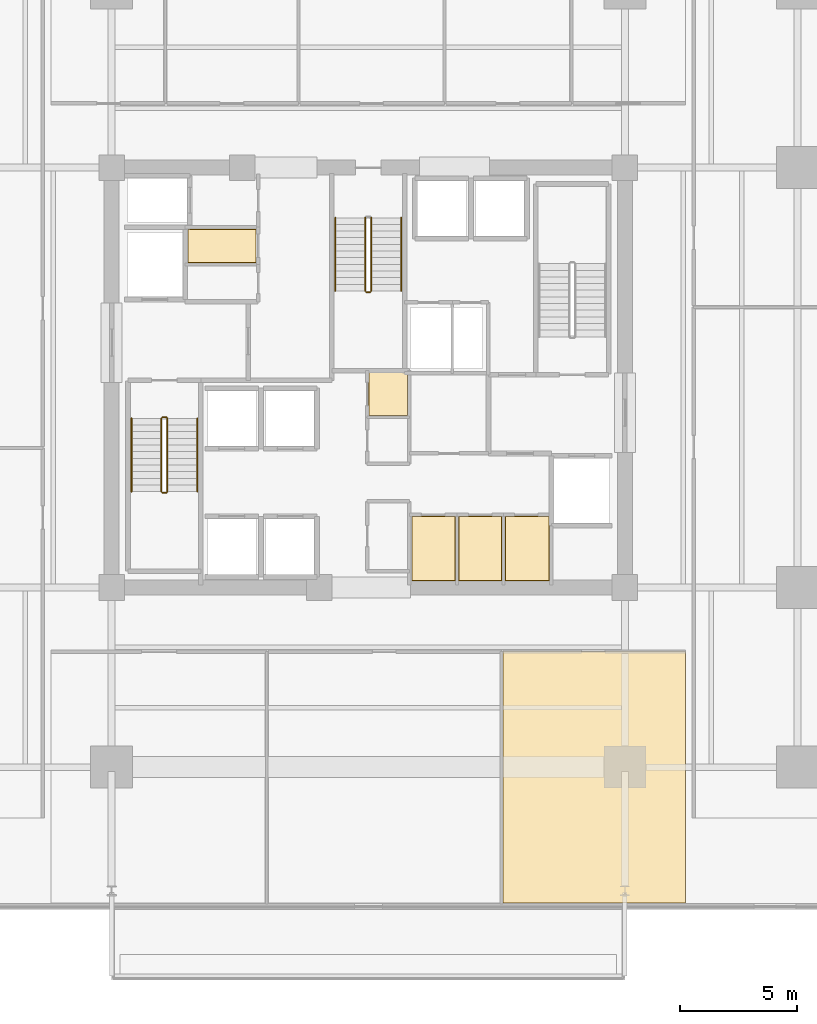
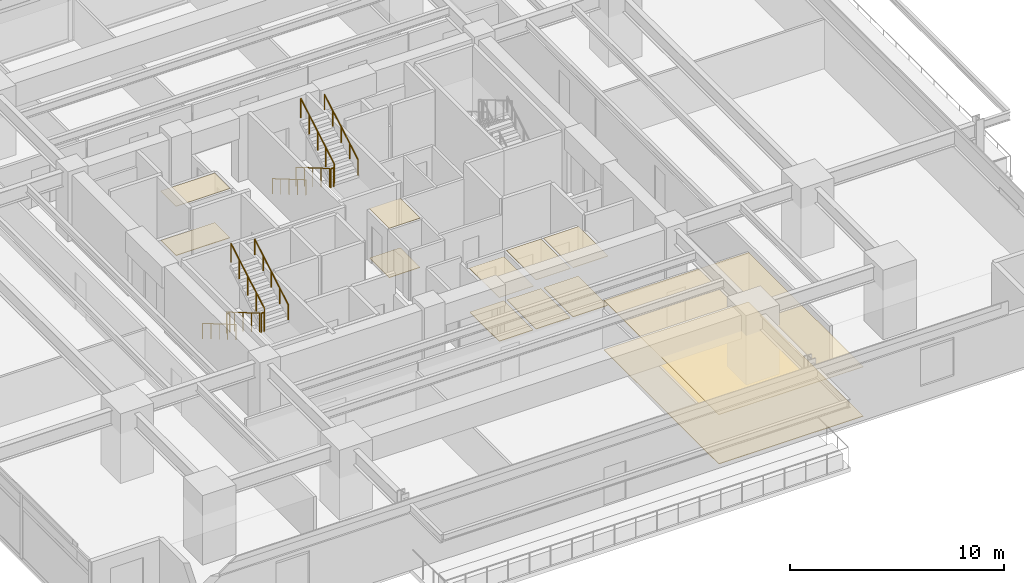
# One storey, part 18 of 21: 12 coverings, 11 railings.
"""IFC4 building model written with IfcOpenShell, lengths in metres."""

from ifc_helpers import new_model, si_unit, direction, frame, origin, origin_2d, place, context, subcontext, project, spatial, polyline, circle, outline, extrude, material, layer, layer_set, type_object, element, save


model = new_model("IFC4")

# Units and contexts
model_context = context("Model", 3, precision=1e-05, world=origin(), true_north=direction((0.0, 1.0)))
body_context = subcontext(model_context, "Body", "Model", "MODEL_VIEW")
ifc_project = project(units=[si_unit("LENGTHUNIT", "METRE"), si_unit("AREAUNIT", "SQUARE_METRE"), si_unit("VOLUMEUNIT", "CUBIC_METRE"), si_unit("PLANEANGLEUNIT", "RADIAN"), si_unit("MASSUNIT", "GRAM", prefix="KILO")], contexts=[model_context])

# Site, building, storey
site_placement = place(None, origin())
site = spatial("IfcSite", under=ifc_project, at=site_placement, CompositionType="ELEMENT")
building_placement = place(site_placement, origin())
building = spatial("IfcBuilding", under=site, at=building_placement, Name="Kovane Verandah Tower", CompositionType="ELEMENT")
storey_placement = place(building_placement, frame((0.0, 0.0, 87.60009765625)))
storey = spatial("IfcBuildingStorey", under=building, at=storey_placement, Name="L20", CompositionType="ELEMENT", Elevation=87.60009765625)

# Coverings
ifc_material_1 = material(Name="Perforated Acoustic Mineral-Fibre Ceiling Tile", Category="gypsum")
ifc_layer_1 = layer(ifc_material_1, 0.02490234375)
ifc_layer_set_1 = layer_set([ifc_layer_1], Name="Perforated Acoustic Mineral-Fibre Ceiling Tile")
covering_type_1 = type_object("IfcCoveringType", Name="CV-CEIL-25", PredefinedType="CEILING", material=ifc_layer_set_1)
covering_1_placement = place(storey_placement, frame((0.0, 0.0, 2.514892578125)))
element("IfcCovering", 1, at=covering_1_placement, inside=storey, type_object=covering_type_1, Name="L20 Mail and Copy Room Acoustic Ceiling", PredefinedType="CEILING", context=body_context, shape_type="SweptSolid", body=[
    extrude(outline(polyline([(41.864990234375, 18.784912109375), (43.735107421875, 18.784912109375), (43.735107421875, 21.56494140625), (41.864990234375, 21.56494140625), (41.864990234375, 18.784912109375)])), origin(), (0.0, 0.0, 1.0), 0.02490234375),
])
covering_2_placement = place(storey_placement, frame((0.0, 0.0, 2.824951171875)))
element("IfcCovering", 2, at=covering_2_placement, inside=storey, type_object=covering_type_1, Name="L20 First Aid Room Acoustic Ceiling", PredefinedType="CEILING", context=body_context, shape_type="SweptSolid", body=[
    extrude(outline(polyline([(43.864990234375, 18.784912109375), (45.735107421875, 18.784912109375), (45.735107421875, 21.56494140625), (43.864990234375, 21.56494140625), (43.864990234375, 18.784912109375)])), origin(), (0.0, 0.0, 1.0), 0.02490234375),
])
covering_3_placement = place(storey_placement, frame((0.0, 0.0, 2.824951171875)))
element("IfcCovering", 3, at=covering_3_placement, inside=storey, type_object=covering_type_1, Name="L20 Quiet Wellness Room Acoustic Ceiling", PredefinedType="CEILING", context=body_context, shape_type="SweptSolid", body=[
    extrude(outline(polyline([(45.864990234375, 18.784912109375), (47.764892578125, 18.784912109375), (47.764892578125, 21.56494140625), (45.864990234375, 21.56494140625), (45.864990234375, 18.784912109375)])), origin(), (0.0, 0.0, 1.0), 0.02490234375),
])
covering_4_placement = place(storey_placement, frame((0.0, 0.0, 2.824951171875)))
element("IfcCovering", 4, at=covering_4_placement, inside=storey, type_object=covering_type_1, Name="L20 North-West First Aid Room Acoustic Ceiling", PredefinedType="CEILING", context=body_context, shape_type="SweptSolid", body=[
    extrude(outline(polyline([(32.264892578125, 32.4150390625), (35.195068359375, 32.4150390625), (35.195068359375, 33.864990234375), (32.264892578125, 33.864990234375), (32.264892578125, 32.4150390625)])), origin(), (0.0, 0.0, 1.0), 0.02490234375),
])
covering_5_placement = place(storey_placement, frame((0.0, 0.0, 2.824951171875)))
element("IfcCovering", 5, at=covering_5_placement, inside=storey, type_object=covering_type_1, Name="L20 Central First Aid and Wellness Room Acoustic Ceiling", PredefinedType="CEILING", context=body_context, shape_type="SweptSolid", body=[
    extrude(outline(polyline([(40.0048828125, 25.864990234375), (41.695068359375, 25.864990234375), (41.695068359375, 27.735107421875), (40.0048828125, 27.735107421875), (40.0048828125, 25.864990234375)])), origin(), (0.0, 0.0, 1.0), 0.02490234375),
])
covering_6_placement = place(storey_placement, frame((0.0, 0.0, 2.824951171875)))
element("IfcCovering", 6, at=covering_6_placement, inside=storey, type_object=covering_type_1, Name="L20 Focus Studio S3 Acoustic Ceiling", PredefinedType="CEILING", context=body_context, shape_type="SweptSolid", body=[
    extrude(outline(polyline([(45.781982421875, 4.97900390625), (53.60009765625, 4.97900390625), (53.60009765625, 15.75), (45.781982421875, 15.75), (45.781982421875, 4.97900390625)])), origin(), (0.0, 0.0, 1.0), 0.02490234375),
])
ifc_material_2 = material(Name="Polished Terrazzo and Raised-Access Carpet Tile Finish", Category="concrete")
ifc_layer_2 = layer(ifc_material_2, 0.030029296875)
ifc_layer_set_2 = layer_set([ifc_layer_2], Name="Polished Terrazzo and Raised-Access Carpet Tile Finish")
covering_type_2 = type_object("IfcCoveringType", Name="CV-FLOR-30", PredefinedType="FLOORING", material=ifc_layer_set_2)
covering_7_placement = place(storey_placement, origin())
element("IfcCovering", 7, at=covering_7_placement, inside=storey, type_object=covering_type_2, Name="L20 Mail and Copy Room Floor Finish", PredefinedType="FLOORING", context=body_context, shape_type="SweptSolid", body=[
    extrude(outline(polyline([(41.8798828125, 18.800048828125), (43.719970703125, 18.800048828125), (43.719970703125, 21.550048828125), (41.8798828125, 21.550048828125), (41.8798828125, 18.800048828125)])), origin(), (0.0, 0.0, 1.0), 0.02978515625),
])
covering_8_placement = place(storey_placement, origin())
element("IfcCovering", 8, at=covering_8_placement, inside=storey, type_object=covering_type_2, Name="L20 First Aid Room Floor Finish", PredefinedType="FLOORING", context=body_context, shape_type="SweptSolid", body=[
    extrude(outline(polyline([(43.8798828125, 18.800048828125), (45.719970703125, 18.800048828125), (45.719970703125, 21.550048828125), (43.8798828125, 21.550048828125), (43.8798828125, 18.800048828125)])), origin(), (0.0, 0.0, 1.0), 0.02978515625),
])
covering_9_placement = place(storey_placement, origin())
element("IfcCovering", 9, at=covering_9_placement, inside=storey, type_object=covering_type_2, Name="L20 Quiet Wellness Room Floor Finish", PredefinedType="FLOORING", context=body_context, shape_type="SweptSolid", body=[
    extrude(outline(polyline([(45.8798828125, 18.800048828125), (47.75, 18.800048828125), (47.75, 21.550048828125), (45.8798828125, 21.550048828125), (45.8798828125, 18.800048828125)])), origin(), (0.0, 0.0, 1.0), 0.02978515625),
])
covering_10_placement = place(storey_placement, origin())
element("IfcCovering", 10, at=covering_10_placement, inside=storey, type_object=covering_type_2, Name="L20 North-West First Aid Room Floor Finish", PredefinedType="FLOORING", context=body_context, shape_type="SweptSolid", body=[
    extrude(outline(polyline([(32.280029296875, 32.429931640625), (35.179931640625, 32.429931640625), (35.179931640625, 33.85009765625), (32.280029296875, 33.85009765625), (32.280029296875, 32.429931640625)])), origin(), (0.0, 0.0, 1.0), 0.02978515625),
])
covering_11_placement = place(storey_placement, origin())
element("IfcCovering", 11, at=covering_11_placement, inside=storey, type_object=covering_type_2, Name="L20 Central First Aid and Wellness Room Floor Finish", PredefinedType="FLOORING", context=body_context, shape_type="SweptSolid", body=[
    extrude(outline(polyline([(40.02001953125, 25.8798828125), (41.679931640625, 25.8798828125), (41.679931640625, 27.719970703125), (40.02001953125, 27.719970703125), (40.02001953125, 25.8798828125)])), origin(), (0.0, 0.0, 1.0), 0.02978515625),
])
covering_12_placement = place(storey_placement, origin())
element("IfcCovering", 12, at=covering_12_placement, inside=storey, type_object=covering_type_2, Name="L20 Focus Studio S3 Floor Finish", PredefinedType="FLOORING", context=body_context, shape_type="SweptSolid", body=[
    extrude(outline(polyline([(45.781982421875, 4.97900390625), (53.60009765625, 4.97900390625), (53.60009765625, 15.75), (45.781982421875, 15.75), (45.781982421875, 4.97900390625)])), origin(), (0.0, 0.0, 1.0), 0.02978515625),
])

# Railings
ifc_material_3 = material(Name="Brushed Stainless Steel Handrail", Category="steel")
railing_type_1 = type_object("IfcRailingType", Name="RL-HAND-920", PredefinedType="HANDRAIL", material=ifc_material_3)
railing_1_placement = place(storey_placement, frame((29.85009765625, 25.75, 0.16650390625)))
element("IfcRailing", 13, at=railing_1_placement, inside=storey, type_object=railing_type_1, Name="L20 ST-01 stair handrail 1", PredefinedType="HANDRAIL", context=body_context, shape_type="SweptSolid", body=[
    extrude(circle(Radius=0.02392578125, at=origin_2d()), frame((0.0, 0.0, 0.8759765625), z_axis=(0.0, -0.863210265497, 0.504844567704), x_axis=(1.0, 0.0, 0.0)), (0.0, 0.0, 1.0), 3.6318359375),
    extrude(circle(Radius=0.02099609375, at=origin_2d()), origin(), (0.0, 0.0, 1.0), 0.851806640625),
    extrude(circle(Radius=0.02099609375, at=origin_2d()), frame((0.0, -0.78369140625, 0.45849609375)), (0.0, 0.0, 1.0), 0.851806640625),
    extrude(circle(Radius=0.02099609375, at=origin_2d()), frame((0.0, -1.5673828125, 0.916748046875)), (0.0, 0.0, 1.0), 0.851806640625),
    extrude(circle(Radius=0.02099609375, at=origin_2d()), frame((0.0, -2.351318359375, 1.375)), (0.0, 0.0, 1.0), 0.851806640625),
    extrude(circle(Radius=0.02099609375, at=origin_2d()), frame((0.0, -3.135009765625, 1.83349609375)), (0.0, 0.0, 1.0), 0.851806640625),
])
railing_2_placement = place(storey_placement, frame((32.669921875, 22.614990234375, 2.16650390625)))
element("IfcRailing", 14, at=railing_2_placement, inside=storey, type_object=railing_type_1, Name="L20 ST-01 stair handrail 2", PredefinedType="HANDRAIL", context=body_context, shape_type="SweptSolid", body=[
    extrude(circle(Radius=0.02392578125, at=origin_2d()), frame((0.0, 0.0, 0.8759765625), z_axis=(0.0, 0.863210265497, 0.504844567704), x_axis=(-1.0, 0.0, 0.0)), (0.0, 0.0, 1.0), 3.6318359375),
    extrude(circle(Radius=0.02099609375, at=origin_2d()), origin(), (0.0, 0.0, 1.0), 0.851806640625),
    extrude(circle(Radius=0.02099609375, at=origin_2d()), frame((0.0, 0.78369140625, 0.45849609375)), (0.0, 0.0, 1.0), 0.851806640625),
    extrude(circle(Radius=0.02099609375, at=origin_2d()), frame((0.0, 1.5673828125, 0.916748046875)), (0.0, 0.0, 1.0), 0.851806640625),
    extrude(circle(Radius=0.02099609375, at=origin_2d()), frame((0.0, 2.351318359375, 1.375)), (0.0, 0.0, 1.0), 0.851806640625),
    extrude(circle(Radius=0.02099609375, at=origin_2d()), frame((0.0, 3.135009765625, 1.83349609375)), (0.0, 0.0, 1.0), 0.851806640625),
])
railing_3_placement = place(storey_placement, frame((38.590087890625, 34.35009765625, 0.16650390625)))
element("IfcRailing", 15, at=railing_3_placement, inside=storey, type_object=railing_type_1, Name="L20 ST-03 stair handrail 1", PredefinedType="HANDRAIL", context=body_context, shape_type="SweptSolid", body=[
    extrude(circle(Radius=0.02392578125, at=origin_2d()), frame((0.0, 0.0, 0.8759765625), z_axis=(0.0, -0.863210265497, 0.504844567704), x_axis=(1.0, 0.0, 0.0)), (0.0, 0.0, 1.0), 3.6318359375),
    extrude(circle(Radius=0.02099609375, at=origin_2d()), origin(), (0.0, 0.0, 1.0), 0.851806640625),
    extrude(circle(Radius=0.02099609375, at=origin_2d()), frame((0.0, -0.78369140625, 0.45849609375)), (0.0, 0.0, 1.0), 0.851806640625),
    extrude(circle(Radius=0.02099609375, at=origin_2d()), frame((0.0, -1.5673828125, 0.916748046875)), (0.0, 0.0, 1.0), 0.851806640625),
    extrude(circle(Radius=0.02099609375, at=origin_2d()), frame((0.0, -2.351318359375, 1.375)), (0.0, 0.0, 1.0), 0.851806640625),
    extrude(circle(Radius=0.02099609375, at=origin_2d()), frame((0.0, -3.135009765625, 1.83349609375)), (0.0, 0.0, 1.0), 0.851806640625),
])
railing_4_placement = place(storey_placement, frame((41.409912109375, 31.215087890625, 2.16650390625)))
element("IfcRailing", 16, at=railing_4_placement, inside=storey, type_object=railing_type_1, Name="L20 ST-03 stair handrail 2", PredefinedType="HANDRAIL", context=body_context, shape_type="SweptSolid", body=[
    extrude(circle(Radius=0.02392578125, at=origin_2d()), frame((0.0, 0.0, 0.8759765625), z_axis=(0.0, 0.863210265497, 0.504844567704), x_axis=(-1.0, 0.0, 0.0)), (0.0, 0.0, 1.0), 3.6318359375),
    extrude(circle(Radius=0.02099609375, at=origin_2d()), origin(), (0.0, 0.0, 1.0), 0.851806640625),
    extrude(circle(Radius=0.02099609375, at=origin_2d()), frame((0.0, 0.78369140625, 0.45849609375)), (0.0, 0.0, 1.0), 0.851806640625),
    extrude(circle(Radius=0.02099609375, at=origin_2d()), frame((0.0, 1.5673828125, 0.916748046875)), (0.0, 0.0, 1.0), 0.851806640625),
    extrude(circle(Radius=0.02099609375, at=origin_2d()), frame((0.0, 2.351318359375, 1.375)), (0.0, 0.0, 1.0), 0.851806640625),
    extrude(circle(Radius=0.02099609375, at=origin_2d()), frame((0.0, 3.135009765625, 1.83349609375)), (0.0, 0.0, 1.0), 0.851806640625),
])
ifc_material_4 = material(Name="Painted Steel Stairwell Guardrail", Category="steel")
railing_type_2 = type_object("IfcRailingType", Name="RL-STGUARD-1120", PredefinedType="GUARDRAIL", material=ifc_material_4)
railing_5_placement = place(storey_placement, frame((31.1298828125, 25.75, 0.16650390625)))
element("IfcRailing", 17, at=railing_5_placement, inside=storey, type_object=railing_type_2, Name="L20 ST-01 stair guard 1", PredefinedType="GUARDRAIL", context=body_context, shape_type="SweptSolid", body=[
    extrude(circle(Radius=0.02392578125, at=origin_2d()), frame((0.0, 0.0, 1.076171875), z_axis=(0.0, -0.863210265497, 0.504844567704), x_axis=(1.0, 0.0, 0.0)), (0.0, 0.0, 1.0), 3.6318359375),
    extrude(circle(Radius=0.02099609375, at=origin_2d()), origin(), (0.0, 0.0, 1.0), 1.052001953125),
    extrude(circle(Radius=0.02099609375, at=origin_2d()), frame((0.0, -0.78369140625, 0.45849609375)), (0.0, 0.0, 1.0), 1.052001953125),
    extrude(circle(Radius=0.02099609375, at=origin_2d()), frame((0.0, -1.5673828125, 0.916748046875)), (0.0, 0.0, 1.0), 1.052001953125),
    extrude(circle(Radius=0.02099609375, at=origin_2d()), frame((0.0, -2.351318359375, 1.375)), (0.0, 0.0, 1.0), 1.052001953125),
    extrude(circle(Radius=0.02099609375, at=origin_2d()), frame((0.0, -3.135009765625, 1.83349609375)), (0.0, 0.0, 1.0), 1.052001953125),
])
railing_6_placement = place(storey_placement, frame((31.179931640625, 22.56494140625, 2.0)))
element("IfcRailing", 18, at=railing_6_placement, inside=storey, type_object=railing_type_2, Name="L20 ST-01 stair guard 2", PredefinedType="GUARDRAIL", context=body_context, shape_type="SweptSolid", body=[
    extrude(circle(Radius=0.02392578125, at=origin_2d()), frame((0.0, 0.0, 1.076171875), z_axis=(1.0, 0.0, 0.0), x_axis=(0.0, 1.0, 0.0)), (0.0, 0.0, 1.0), 0.16015625),
    extrude(circle(Radius=0.02099609375, at=origin_2d()), origin(), (0.0, 0.0, 1.0), 1.052001953125),
    extrude(circle(Radius=0.02099609375, at=origin_2d()), frame((0.16015625, 0.0, 0.0)), (0.0, 0.0, 1.0), 1.052001953125),
])
railing_7_placement = place(storey_placement, frame((31.389892578125, 22.614990234375, 2.16650390625)))
element("IfcRailing", 19, at=railing_7_placement, inside=storey, type_object=railing_type_2, Name="L20 ST-01 stair guard 3", PredefinedType="GUARDRAIL", context=body_context, shape_type="SweptSolid", body=[
    extrude(circle(Radius=0.02392578125, at=origin_2d()), frame((0.0, 0.0, 1.076171875), z_axis=(0.0, 0.863210265497, 0.504844567704), x_axis=(-1.0, 0.0, 0.0)), (0.0, 0.0, 1.0), 3.6318359375),
    extrude(circle(Radius=0.02099609375, at=origin_2d()), origin(), (0.0, 0.0, 1.0), 1.052001953125),
    extrude(circle(Radius=0.02099609375, at=origin_2d()), frame((0.0, 0.78369140625, 0.45849609375)), (0.0, 0.0, 1.0), 1.052001953125),
    extrude(circle(Radius=0.02099609375, at=origin_2d()), frame((0.0, 1.5673828125, 0.916748046875)), (0.0, 0.0, 1.0), 1.052001953125),
    extrude(circle(Radius=0.02099609375, at=origin_2d()), frame((0.0, 2.351318359375, 1.375)), (0.0, 0.0, 1.0), 1.052001953125),
    extrude(circle(Radius=0.02099609375, at=origin_2d()), frame((0.0, 3.135009765625, 1.83349609375)), (0.0, 0.0, 1.0), 1.052001953125),
])
railing_8_placement = place(storey_placement, frame((31.179931640625, 25.800048828125, 0.0)))
element("IfcRailing", 20, at=railing_8_placement, inside=storey, type_object=railing_type_2, Name="L20 ST-01 stair guard 4", PredefinedType="GUARDRAIL", context=body_context, shape_type="SweptSolid", body=[
    extrude(circle(Radius=0.02392578125, at=origin_2d()), frame((0.0, 0.0, 1.076171875), z_axis=(1.0, 0.0, 0.0), x_axis=(0.0, 1.0, 0.0)), (0.0, 0.0, 1.0), 0.16015625),
    extrude(circle(Radius=0.02099609375, at=origin_2d()), origin(), (0.0, 0.0, 1.0), 1.052001953125),
    extrude(circle(Radius=0.02099609375, at=origin_2d()), frame((0.16015625, 0.0, 0.0)), (0.0, 0.0, 1.0), 1.052001953125),
])
railing_9_placement = place(storey_placement, frame((39.8701171875, 34.35009765625, 0.16650390625)))
element("IfcRailing", 21, at=railing_9_placement, inside=storey, type_object=railing_type_2, Name="L20 ST-03 stair guard 1", PredefinedType="GUARDRAIL", context=body_context, shape_type="SweptSolid", body=[
    extrude(circle(Radius=0.02392578125, at=origin_2d()), frame((0.0, 0.0, 1.076171875), z_axis=(0.0, -0.863210265497, 0.504844567704), x_axis=(1.0, 0.0, 0.0)), (0.0, 0.0, 1.0), 3.6318359375),
    extrude(circle(Radius=0.02099609375, at=origin_2d()), origin(), (0.0, 0.0, 1.0), 1.052001953125),
    extrude(circle(Radius=0.02099609375, at=origin_2d()), frame((0.0, -0.78369140625, 0.45849609375)), (0.0, 0.0, 1.0), 1.052001953125),
    extrude(circle(Radius=0.02099609375, at=origin_2d()), frame((0.0, -1.5673828125, 0.916748046875)), (0.0, 0.0, 1.0), 1.052001953125),
    extrude(circle(Radius=0.02099609375, at=origin_2d()), frame((0.0, -2.351318359375, 1.375)), (0.0, 0.0, 1.0), 1.052001953125),
    extrude(circle(Radius=0.02099609375, at=origin_2d()), frame((0.0, -3.135009765625, 1.83349609375)), (0.0, 0.0, 1.0), 1.052001953125),
])
railing_10_placement = place(storey_placement, frame((39.919921875, 31.1650390625, 2.0)))
element("IfcRailing", 22, at=railing_10_placement, inside=storey, type_object=railing_type_2, Name="L20 ST-03 stair guard 2", PredefinedType="GUARDRAIL", context=body_context, shape_type="SweptSolid", body=[
    extrude(circle(Radius=0.02392578125, at=origin_2d()), frame((0.0, 0.0, 1.076171875), z_axis=(1.0, 0.0, 0.0), x_axis=(0.0, 1.0, 0.0)), (0.0, 0.0, 1.0), 0.16015625),
    extrude(circle(Radius=0.02099609375, at=origin_2d()), origin(), (0.0, 0.0, 1.0), 1.052001953125),
    extrude(circle(Radius=0.02099609375, at=origin_2d()), frame((0.16015625, 0.0, 0.0)), (0.0, 0.0, 1.0), 1.052001953125),
])
railing_11_placement = place(storey_placement, frame((40.1298828125, 31.215087890625, 2.16650390625)))
element("IfcRailing", 23, at=railing_11_placement, inside=storey, type_object=railing_type_2, Name="L20 ST-03 stair guard 3", PredefinedType="GUARDRAIL", context=body_context, shape_type="SweptSolid", body=[
    extrude(circle(Radius=0.02392578125, at=origin_2d()), frame((0.0, 0.0, 1.076171875), z_axis=(0.0, 0.863210265497, 0.504844567704), x_axis=(-1.0, 0.0, 0.0)), (0.0, 0.0, 1.0), 3.6318359375),
    extrude(circle(Radius=0.02099609375, at=origin_2d()), origin(), (0.0, 0.0, 1.0), 1.052001953125),
    extrude(circle(Radius=0.02099609375, at=origin_2d()), frame((0.0, 0.78369140625, 0.45849609375)), (0.0, 0.0, 1.0), 1.052001953125),
    extrude(circle(Radius=0.02099609375, at=origin_2d()), frame((0.0, 1.5673828125, 0.916748046875)), (0.0, 0.0, 1.0), 1.052001953125),
    extrude(circle(Radius=0.02099609375, at=origin_2d()), frame((0.0, 2.351318359375, 1.375)), (0.0, 0.0, 1.0), 1.052001953125),
    extrude(circle(Radius=0.02099609375, at=origin_2d()), frame((0.0, 3.135009765625, 1.83349609375)), (0.0, 0.0, 1.0), 1.052001953125),
])

save(model, "model.ifc")
